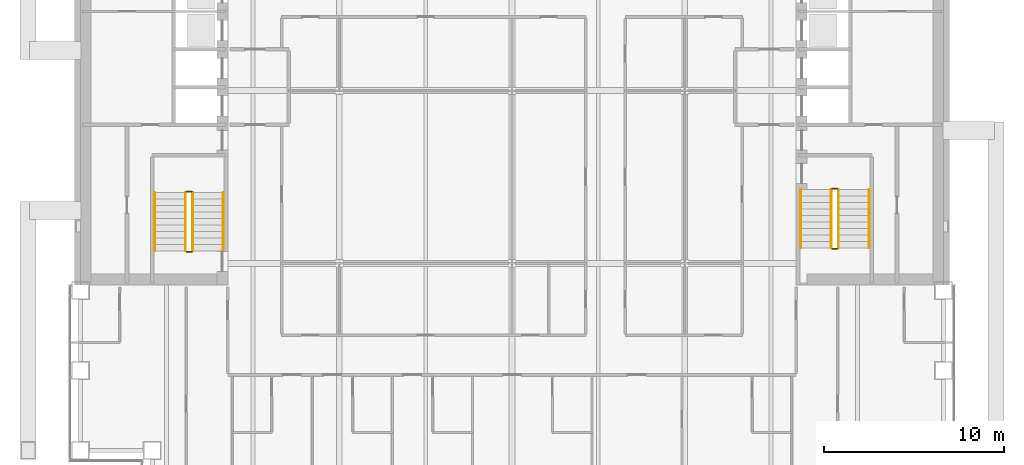
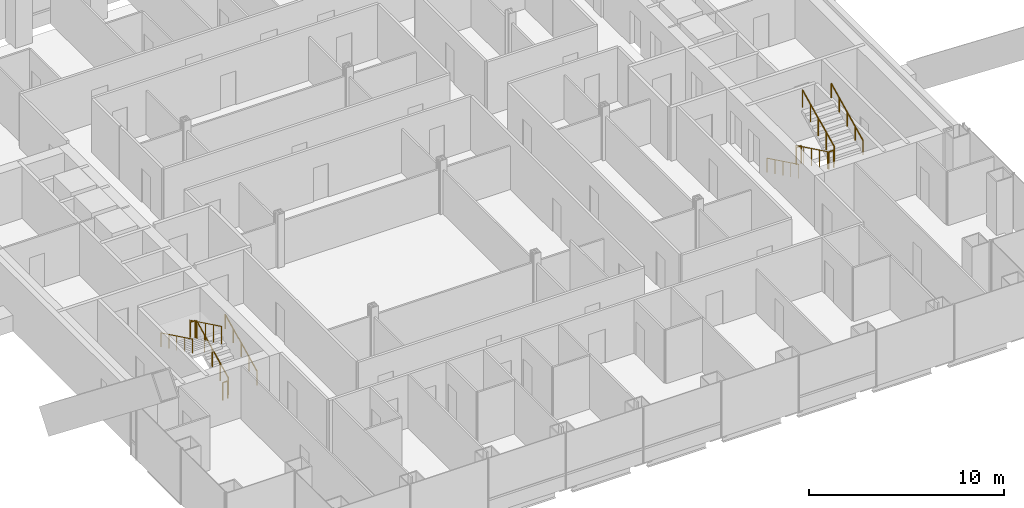
# One storey, part 22 of 23: 12 railings.
"""IFC4 building model written with IfcOpenShell, lengths in metres."""

from ifc_helpers import new_model, si_unit, direction, frame, origin, origin_2d, place, context, subcontext, project, spatial, circle, extrude, material, type_object, element, save


model = new_model("IFC4")

# Units and contexts
model_context = context("Model", 3, precision=1e-05, world=origin(), true_north=direction((0.0, 1.0)))
body_context = subcontext(model_context, "Body", "Model", "MODEL_VIEW")
ifc_project = project(units=[si_unit("LENGTHUNIT", "METRE"), si_unit("AREAUNIT", "SQUARE_METRE"), si_unit("VOLUMEUNIT", "CUBIC_METRE"), si_unit("PLANEANGLEUNIT", "RADIAN"), si_unit("MASSUNIT", "GRAM", prefix="KILO")], contexts=[model_context])

# Site, building, storey
site_placement = place(None, origin())
site = spatial("IfcSite", under=ifc_project, at=site_placement, CompositionType="ELEMENT")
building_placement = place(site_placement, origin())
building = spatial("IfcBuilding", under=site, at=building_placement, Name="Cobrizo Arcos Hotel Tower", CompositionType="ELEMENT")
storey_placement = place(building_placement, frame((0.0, 0.0, 56.5)))
storey = spatial("IfcBuildingStorey", under=building, at=storey_placement, Name="L12", CompositionType="ELEMENT", Elevation=56.5)

# Railings
ifc_material = material(Name="Stainless steel railing", Category="steel")
railing_type_1 = type_object("IfcRailingType", Name="Stair guard 1100", PredefinedType="GUARDRAIL", material=ifc_material)
railing_1_placement = place(storey_placement, frame((-17.75, -8.89990234375, 0.175048828125)))
element("IfcRailing", 1, at=railing_1_placement, inside=storey, type_object=railing_type_1, Name="L12 ST-W stair guard 1", PredefinedType="GUARDRAIL", context=body_context, shape_type="SweptSolid", body=[
    extrude(circle(Radius=0.02392578125, at=origin_2d()), frame((0.0, 0.0, 1.076171875), z_axis=(0.0, 0.899372665325, 0.437182809435), x_axis=(-1.0, 0.0, 0.0)), (0.0, 0.0, 1.0), 3.6025390625),
    extrude(circle(Radius=0.02099609375, at=origin_2d()), origin(), (0.0, 0.0, 1.0), 1.052001953125),
    extrude(circle(Radius=0.02099609375, at=origin_2d()), frame((0.0, 0.81005859375, 0.393798828125)), (0.0, 0.0, 1.0), 1.052001953125),
    extrude(circle(Radius=0.02099609375, at=origin_2d()), frame((0.0, 1.6201171875, 0.78759765625)), (0.0, 0.0, 1.0), 1.052001953125),
    extrude(circle(Radius=0.02099609375, at=origin_2d()), frame((0.0, 2.429931640625, 1.18115234375)), (0.0, 0.0, 1.0), 1.052001953125),
    extrude(circle(Radius=0.02099609375, at=origin_2d()), frame((0.0, 3.239990234375, 1.574951171875)), (0.0, 0.0, 1.0), 1.052001953125),
])
railing_2_placement = place(storey_placement, frame((-17.800048828125, -5.610107421875, 1.75)))
element("IfcRailing", 2, at=railing_2_placement, inside=storey, type_object=railing_type_1, Name="L12 ST-W stair guard 2", PredefinedType="GUARDRAIL", context=body_context, shape_type="SweptSolid", body=[
    extrude(circle(Radius=0.02392578125, at=origin_2d()), frame((0.0, 0.0, 1.076171875), z_axis=(-1.0, 0.0, 0.0), x_axis=(0.0, -1.0, 0.0)), (0.0, 0.0, 1.0), 0.300048828125),
    extrude(circle(Radius=0.02099609375, at=origin_2d()), origin(), (0.0, 0.0, 1.0), 1.052001953125),
    extrude(circle(Radius=0.02099609375, at=origin_2d()), frame((-0.300048828125, 0.0, 0.0)), (0.0, 0.0, 1.0), 1.052001953125),
])
railing_3_placement = place(storey_placement, frame((-18.14990234375, -5.659912109375, 1.925048828125)))
element("IfcRailing", 3, at=railing_3_placement, inside=storey, type_object=railing_type_1, Name="L12 ST-W stair guard 3", PredefinedType="GUARDRAIL", context=body_context, shape_type="SweptSolid", body=[
    extrude(circle(Radius=0.02392578125, at=origin_2d()), frame((0.0, 0.0, 1.076171875), z_axis=(0.0, -0.899372665325, 0.437182809435), x_axis=(1.0, 0.0, 0.0)), (0.0, 0.0, 1.0), 3.6025390625),
    extrude(circle(Radius=0.02099609375, at=origin_2d()), origin(), (0.0, 0.0, 1.0), 1.052001953125),
    extrude(circle(Radius=0.02099609375, at=origin_2d()), frame((0.0, -0.81005859375, 0.393798828125)), (0.0, 0.0, 1.0), 1.052001953125),
    extrude(circle(Radius=0.02099609375, at=origin_2d()), frame((0.0, -1.6201171875, 0.78759765625)), (0.0, 0.0, 1.0), 1.052001953125),
    extrude(circle(Radius=0.02099609375, at=origin_2d()), frame((0.0, -2.429931640625, 1.18115234375)), (0.0, 0.0, 1.0), 1.052001953125),
    extrude(circle(Radius=0.02099609375, at=origin_2d()), frame((0.0, -3.239990234375, 1.574951171875)), (0.0, 0.0, 1.0), 1.052001953125),
])
railing_4_placement = place(storey_placement, frame((-17.800048828125, -8.949951171875, 0.0)))
element("IfcRailing", 4, at=railing_4_placement, inside=storey, type_object=railing_type_1, Name="L12 ST-W stair guard 4", PredefinedType="GUARDRAIL", context=body_context, shape_type="SweptSolid", body=[
    extrude(circle(Radius=0.02392578125, at=origin_2d()), frame((0.0, 0.0, 1.076171875), z_axis=(-1.0, 0.0, 0.0), x_axis=(0.0, -1.0, 0.0)), (0.0, 0.0, 1.0), 0.300048828125),
    extrude(circle(Radius=0.02099609375, at=origin_2d()), origin(), (0.0, 0.0, 1.0), 1.052001953125),
    extrude(circle(Radius=0.02099609375, at=origin_2d()), frame((-0.300048828125, 0.0, 0.0)), (0.0, 0.0, 1.0), 1.052001953125),
])
railing_5_placement = place(storey_placement, frame((17.75, -5.5, 0.175048828125)))
element("IfcRailing", 5, at=railing_5_placement, inside=storey, type_object=railing_type_1, Name="L12 ST-E stair guard 1", PredefinedType="GUARDRAIL", context=body_context, shape_type="SweptSolid", body=[
    extrude(circle(Radius=0.02392578125, at=origin_2d()), frame((0.0, 0.0, 1.076171875), z_axis=(0.0, -0.899372665325, 0.437182809435), x_axis=(1.0, 0.0, 0.0)), (0.0, 0.0, 1.0), 3.6025390625),
    extrude(circle(Radius=0.02099609375, at=origin_2d()), origin(), (0.0, 0.0, 1.0), 1.052001953125),
    extrude(circle(Radius=0.02099609375, at=origin_2d()), frame((0.0, -0.81005859375, 0.393798828125)), (0.0, 0.0, 1.0), 1.052001953125),
    extrude(circle(Radius=0.02099609375, at=origin_2d()), frame((0.0, -1.6201171875, 0.78759765625)), (0.0, 0.0, 1.0), 1.052001953125),
    extrude(circle(Radius=0.02099609375, at=origin_2d()), frame((0.0, -2.429931640625, 1.18115234375)), (0.0, 0.0, 1.0), 1.052001953125),
    extrude(circle(Radius=0.02099609375, at=origin_2d()), frame((0.0, -3.239990234375, 1.574951171875)), (0.0, 0.0, 1.0), 1.052001953125),
])
railing_6_placement = place(storey_placement, frame((17.800048828125, -8.7900390625, 1.75)))
element("IfcRailing", 6, at=railing_6_placement, inside=storey, type_object=railing_type_1, Name="L12 ST-E stair guard 2", PredefinedType="GUARDRAIL", context=body_context, shape_type="SweptSolid", body=[
    extrude(circle(Radius=0.02392578125, at=origin_2d()), frame((0.0, 0.0, 1.076171875), z_axis=(1.0, 0.0, 0.0), x_axis=(0.0, 1.0, 0.0)), (0.0, 0.0, 1.0), 0.300048828125),
    extrude(circle(Radius=0.02099609375, at=origin_2d()), origin(), (0.0, 0.0, 1.0), 1.052001953125),
    extrude(circle(Radius=0.02099609375, at=origin_2d()), frame((0.300048828125, 0.0, 0.0)), (0.0, 0.0, 1.0), 1.052001953125),
])
railing_7_placement = place(storey_placement, frame((18.14990234375, -8.739990234375, 1.925048828125)))
element("IfcRailing", 7, at=railing_7_placement, inside=storey, type_object=railing_type_1, Name="L12 ST-E stair guard 3", PredefinedType="GUARDRAIL", context=body_context, shape_type="SweptSolid", body=[
    extrude(circle(Radius=0.02392578125, at=origin_2d()), frame((0.0, 0.0, 1.076171875), z_axis=(0.0, 0.899372665325, 0.437182809435), x_axis=(-1.0, 0.0, 0.0)), (0.0, 0.0, 1.0), 3.6025390625),
    extrude(circle(Radius=0.02099609375, at=origin_2d()), origin(), (0.0, 0.0, 1.0), 1.052001953125),
    extrude(circle(Radius=0.02099609375, at=origin_2d()), frame((0.0, 0.81005859375, 0.393798828125)), (0.0, 0.0, 1.0), 1.052001953125),
    extrude(circle(Radius=0.02099609375, at=origin_2d()), frame((0.0, 1.6201171875, 0.78759765625)), (0.0, 0.0, 1.0), 1.052001953125),
    extrude(circle(Radius=0.02099609375, at=origin_2d()), frame((0.0, 2.429931640625, 1.18115234375)), (0.0, 0.0, 1.0), 1.052001953125),
    extrude(circle(Radius=0.02099609375, at=origin_2d()), frame((0.0, 3.239990234375, 1.574951171875)), (0.0, 0.0, 1.0), 1.052001953125),
])
railing_8_placement = place(storey_placement, frame((17.800048828125, -5.449951171875, 0.0)))
element("IfcRailing", 8, at=railing_8_placement, inside=storey, type_object=railing_type_1, Name="L12 ST-E stair guard 4", PredefinedType="GUARDRAIL", context=body_context, shape_type="SweptSolid", body=[
    extrude(circle(Radius=0.02392578125, at=origin_2d()), frame((0.0, 0.0, 1.076171875), z_axis=(1.0, 0.0, 0.0), x_axis=(0.0, 1.0, 0.0)), (0.0, 0.0, 1.0), 0.300048828125),
    extrude(circle(Radius=0.02099609375, at=origin_2d()), origin(), (0.0, 0.0, 1.0), 1.052001953125),
    extrude(circle(Radius=0.02099609375, at=origin_2d()), frame((0.300048828125, 0.0, 0.0)), (0.0, 0.0, 1.0), 1.052001953125),
])
railing_type_2 = type_object("IfcRailingType", Name="Stair handrail", PredefinedType="HANDRAIL", material=ifc_material)
railing_9_placement = place(storey_placement, frame((-16.050048828125, -8.89990234375, 0.175048828125)))
element("IfcRailing", 9, at=railing_9_placement, inside=storey, type_object=railing_type_2, Name="L12 ST-W stair handrail 1", PredefinedType="HANDRAIL", context=body_context, shape_type="SweptSolid", body=[
    extrude(circle(Radius=0.02392578125, at=origin_2d()), frame((0.0, 0.0, 0.8759765625), z_axis=(0.0, 0.899372665325, 0.437182809435), x_axis=(-1.0, 0.0, 0.0)), (0.0, 0.0, 1.0), 3.6025390625),
    extrude(circle(Radius=0.02099609375, at=origin_2d()), origin(), (0.0, 0.0, 1.0), 0.851806640625),
    extrude(circle(Radius=0.02099609375, at=origin_2d()), frame((0.0, 0.81005859375, 0.393798828125)), (0.0, 0.0, 1.0), 0.851806640625),
    extrude(circle(Radius=0.02099609375, at=origin_2d()), frame((0.0, 1.6201171875, 0.78759765625)), (0.0, 0.0, 1.0), 0.851806640625),
    extrude(circle(Radius=0.02099609375, at=origin_2d()), frame((0.0, 2.429931640625, 1.18115234375)), (0.0, 0.0, 1.0), 0.851806640625),
    extrude(circle(Radius=0.02099609375, at=origin_2d()), frame((0.0, 3.239990234375, 1.574951171875)), (0.0, 0.0, 1.0), 0.851806640625),
])
for number, where, name in (
    (10, (-19.85009765625, -5.659912109375, 1.925048828125), "L12 ST-W stair handrail 2"),
    (11, (16.050048828125, -5.5, 0.175048828125), "L12 ST-E stair handrail 1"),
):
    element("IfcRailing", number, at=place(storey_placement, frame(where)), inside=storey, type_object=railing_type_2, Name=name, PredefinedType="HANDRAIL", context=body_context, shape_type="SweptSolid", body=[
        extrude(circle(Radius=0.02392578125, at=origin_2d()), frame((0.0, 0.0, 0.8759765625), z_axis=(0.0, -0.899372665325, 0.437182809435), x_axis=(1.0, 0.0, 0.0)), (0.0, 0.0, 1.0), 3.6025390625),
        extrude(circle(Radius=0.02099609375, at=origin_2d()), origin(), (0.0, 0.0, 1.0), 0.851806640625),
        extrude(circle(Radius=0.02099609375, at=origin_2d()), frame((0.0, -0.81005859375, 0.393798828125)), (0.0, 0.0, 1.0), 0.851806640625),
        extrude(circle(Radius=0.02099609375, at=origin_2d()), frame((0.0, -1.6201171875, 0.78759765625)), (0.0, 0.0, 1.0), 0.851806640625),
        extrude(circle(Radius=0.02099609375, at=origin_2d()), frame((0.0, -2.429931640625, 1.18115234375)), (0.0, 0.0, 1.0), 0.851806640625),
        extrude(circle(Radius=0.02099609375, at=origin_2d()), frame((0.0, -3.239990234375, 1.574951171875)), (0.0, 0.0, 1.0), 0.851806640625),
    ])
railing_10_placement = place(storey_placement, frame((19.85009765625, -8.739990234375, 1.925048828125)))
element("IfcRailing", 12, at=railing_10_placement, inside=storey, type_object=railing_type_2, Name="L12 ST-E stair handrail 2", PredefinedType="HANDRAIL", context=body_context, shape_type="SweptSolid", body=[
    extrude(circle(Radius=0.02392578125, at=origin_2d()), frame((0.0, 0.0, 0.8759765625), z_axis=(0.0, 0.899372665325, 0.437182809435), x_axis=(-1.0, 0.0, 0.0)), (0.0, 0.0, 1.0), 3.6025390625),
    extrude(circle(Radius=0.02099609375, at=origin_2d()), origin(), (0.0, 0.0, 1.0), 0.851806640625),
    extrude(circle(Radius=0.02099609375, at=origin_2d()), frame((0.0, 0.81005859375, 0.393798828125)), (0.0, 0.0, 1.0), 0.851806640625),
    extrude(circle(Radius=0.02099609375, at=origin_2d()), frame((0.0, 1.6201171875, 0.78759765625)), (0.0, 0.0, 1.0), 0.851806640625),
    extrude(circle(Radius=0.02099609375, at=origin_2d()), frame((0.0, 2.429931640625, 1.18115234375)), (0.0, 0.0, 1.0), 0.851806640625),
    extrude(circle(Radius=0.02099609375, at=origin_2d()), frame((0.0, 3.239990234375, 1.574951171875)), (0.0, 0.0, 1.0), 0.851806640625),
])

save(model, "model.ifc")
